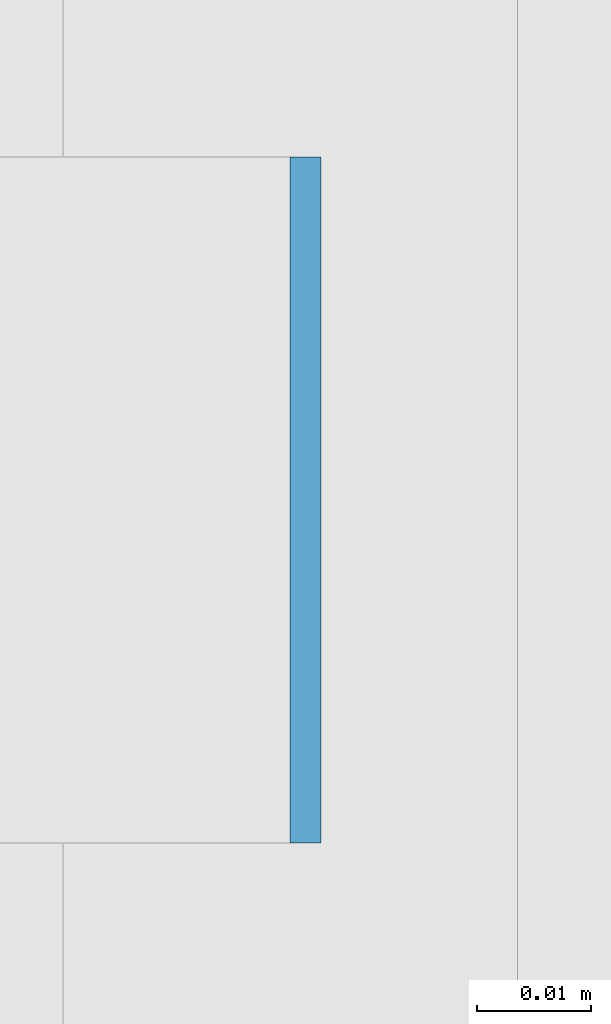
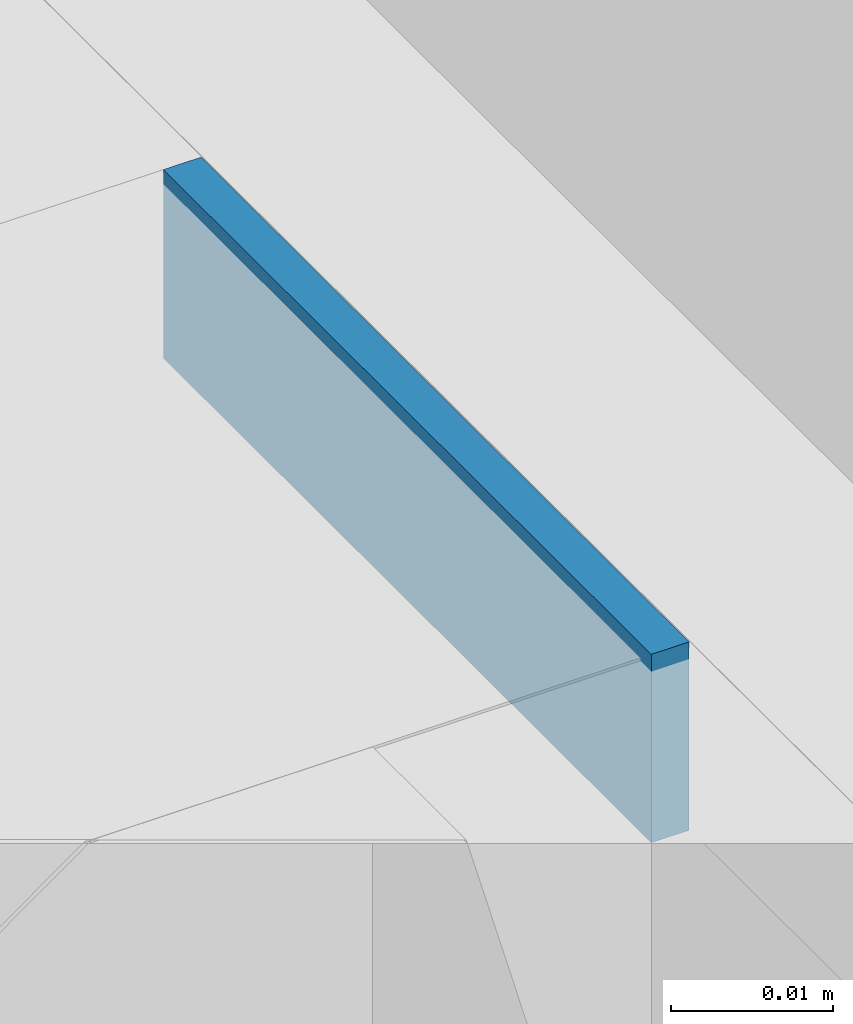
# One storey, part 403 of 646: 1 discrete accessory.
"""IFC4 building model written with IfcOpenShell, lengths in metres."""

from ifc_helpers import new_model, si_unit, direction, frame, origin, origin_2d, place, context, subcontext, project, spatial, rectangle, extrude, material, type_object, element, save


model = new_model("IFC4")

# Units and contexts
model_context = context("Model", 3, precision=1e-05, world=origin(), true_north=direction((0.0, 1.0)))
body_context = subcontext(model_context, "Body", "Model", "MODEL_VIEW")
ifc_project = project(units=[si_unit("LENGTHUNIT", "METRE"), si_unit("AREAUNIT", "SQUARE_METRE"), si_unit("VOLUMEUNIT", "CUBIC_METRE"), si_unit("PLANEANGLEUNIT", "RADIAN"), si_unit("MASSUNIT", "GRAM", prefix="KILO")], contexts=[model_context])

# Site, building, storey
site_placement = place(None, origin())
site = spatial("IfcSite", under=ifc_project, at=site_placement, CompositionType="ELEMENT")
building_placement = place(site_placement, origin())
building = spatial("IfcBuilding", under=site, at=building_placement, Name="Silverbay Arena", CompositionType="ELEMENT")
storey_placement = place(building_placement, frame((0.0, 0.0, 33.5)))
storey = spatial("IfcBuildingStorey", under=building, at=storey_placement, Name="L05", CompositionType="ELEMENT", Elevation=33.5)

# Discrete accessory
ifc_material = material(Name="Steel S355", Category="steel")
discrete_accessory_type = type_object("IfcDiscreteAccessoryType", Name="Steel bracket plate", PredefinedType="BRACKET", material=ifc_material)
discrete_accessory_placement = place(storey_placement, frame((53.871337890625, 120.857177734375, 12.98583984375), z_axis=(0.0, 0.0, 1.0), x_axis=(1.0, 0.0, 0.0)))
element("IfcDiscreteAccessory", 1, at=discrete_accessory_placement, inside=storey, type_object=discrete_accessory_type, Name="Curtain wall packing plate", PredefinedType="BRACKET", context=body_context, shape_type="SweptSolid", body=[
    extrude(rectangle(XDim=0.002685546875, YDim=0.06005859375, at=origin_2d()), origin(), (0.0, 0.0, 1.0), 0.01416015625),
])

save(model, "model.ifc")
